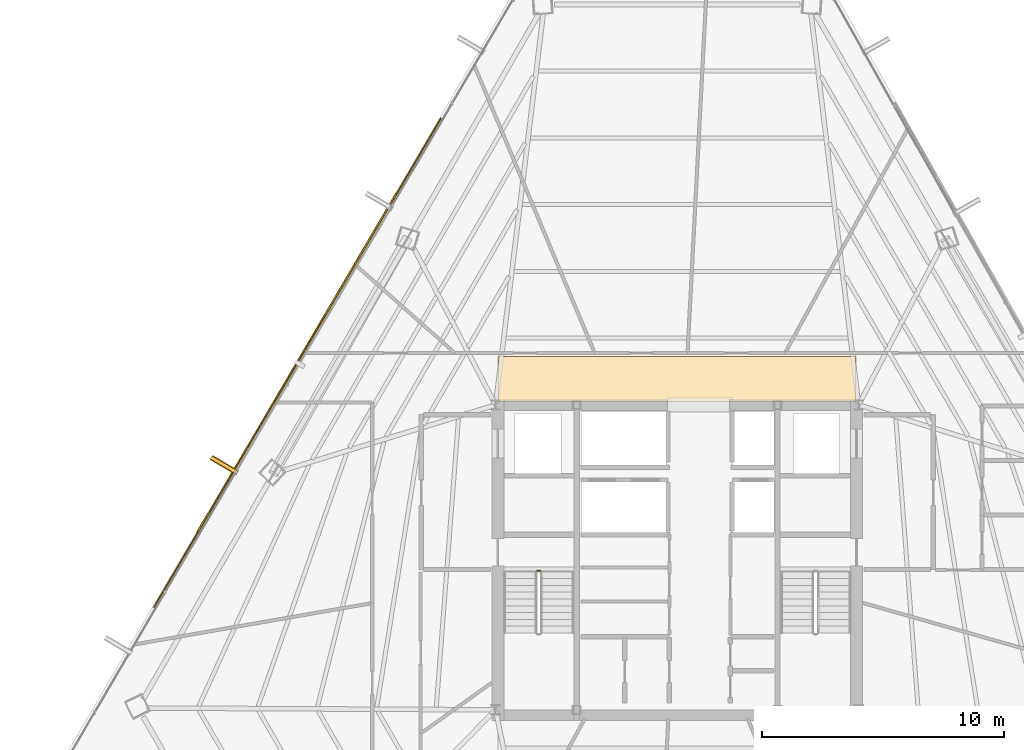
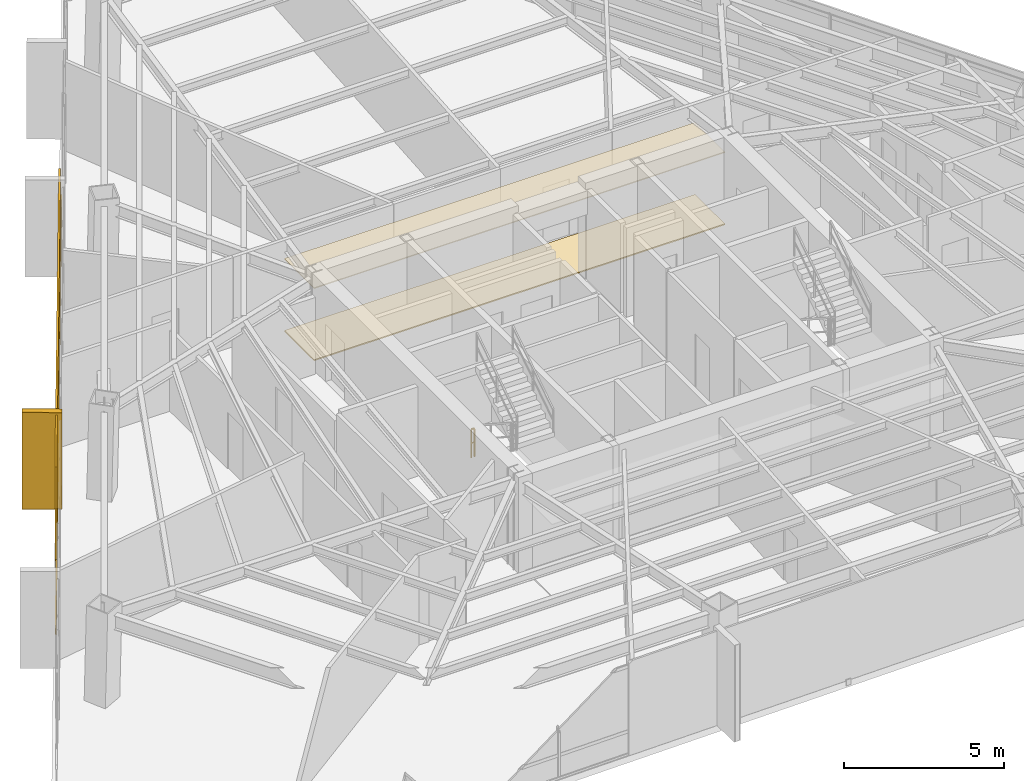
# One storey, part 40 of 42: 4 coverings, 2 shading devices, 1 railing.
"""IFC4 building model written with IfcOpenShell, lengths in metres."""

from ifc_helpers import new_model, si_unit, direction, frame, origin, origin_2d, place, context, subcontext, project, spatial, polyline, rectangle, outline, extrude, source, transform, mapped, material, layer, layer_set, type_object, type_shapes, element, save


model = new_model("IFC4")

# Units and contexts
model_context = context("Model", 3, precision=1e-05, world=origin(), true_north=direction((0.0, 1.0)))
body_context = subcontext(model_context, "Body", "Model", "MODEL_VIEW")
ifc_project = project(units=[si_unit("LENGTHUNIT", "METRE"), si_unit("AREAUNIT", "SQUARE_METRE"), si_unit("VOLUMEUNIT", "CUBIC_METRE"), si_unit("PLANEANGLEUNIT", "RADIAN"), si_unit("MASSUNIT", "GRAM", prefix="KILO")], contexts=[model_context])

# Site, building, storey
site_placement = place(None, origin())
site = spatial("IfcSite", under=ifc_project, at=site_placement, CompositionType="ELEMENT")
building_placement = place(site_placement, origin())
building = spatial("IfcBuilding", under=site, at=building_placement, Name="Caelisora Broadcast Tower", CompositionType="ELEMENT")
storey_placement = place(building_placement, frame((0.0, 0.0, 184.050048828125)))
storey = spatial("IfcBuildingStorey", under=building, at=storey_placement, Name="L48", CompositionType="ELEMENT", Elevation=184.050048828125)

# Coverings
ifc_material_1 = material(Name="Perforated Mineral-Fibre Acoustic Ceiling Tile", Category="gypsum")
ifc_layer_1 = layer(ifc_material_1, 0.034912109375, Name="Perforated Mineral-Fibre Acoustic Ceiling Tile")
ifc_layer_set_1 = layer_set([ifc_layer_1], Name="Perforated Mineral-Fibre Acoustic Ceiling Tile")
covering_type_1 = type_object("IfcCoveringType", Name="CE-1", PredefinedType="CEILING", material=ifc_layer_set_1)
covering_1_placement = place(storey_placement, frame((0.0, 0.0, 2.75)))
element("IfcCovering", 1, at=covering_1_placement, inside=storey, type_object=covering_type_1, Name="L48 acoustic corridor ceiling CE-1 (N)", PredefinedType="CEILING", context=body_context, shape_type="SweptSolid", body=[
    extrude(outline(polyline([(30.60009765625, 30.14990234375), (45.39990234375, 30.14990234375), (45.39990234375, 32.0), (30.60009765625, 32.0), (30.60009765625, 30.14990234375)])), origin(), (0.0, 0.0, 1.0), 0.034912109375),
])
ifc_material_2 = material(Name="Anti-Static Broadcast Raised Access Floor Panel", Category="steel")
ifc_layer_2 = layer(ifc_material_2, 0.044921875, Name="Anti-Static Broadcast Raised Access Floor Panel")
ifc_layer_set_2 = layer_set([ifc_layer_2], Name="Anti-Static Broadcast Raised Access Floor Panel")
covering_type_2 = type_object("IfcCoveringType", Name="FL-1", PredefinedType="FLOORING", material=ifc_layer_set_2)
covering_2_placement = place(storey_placement, origin())
element("IfcCovering", 2, at=covering_2_placement, inside=storey, type_object=covering_type_2, Name="L48 broadcast raised access floor FL-1 (N)", PredefinedType="FLOORING", context=body_context, shape_type="SweptSolid", body=[
    extrude(outline(polyline([(30.60009765625, 30.14990234375), (45.39990234375, 30.14990234375), (45.39990234375, 32.0), (30.60009765625, 32.0), (30.60009765625, 30.14990234375)])), origin(), (0.0, 0.0, 1.0), 0.044921875),
])

# Railing
ifc_material_3 = material(Name="Galvanised Steel Safety Guardrail", Category="steel")
ifc_layer_3 = layer(ifc_material_3, 0.048095703125, Name="Galvanised Steel Safety Guardrail")
ifc_layer_set_3 = layer_set([ifc_layer_3], Name="Galvanised Steel Safety Guardrail")
railing_type = type_object("IfcRailingType", Name="GR-1", PredefinedType="GUARDRAIL", material=ifc_layer_set_3)
railing_placement = place(storey_placement, frame((32.219970703125, 23.14990234375, 0.0)))
element("IfcRailing", 3, at=railing_placement, inside=storey, type_object=railing_type, Name="L48 ST-1 stair guard 4", PredefinedType="GUARDRAIL", context=body_context, shape_type="SweptSolid", body=[
    extrude(rectangle(XDim=0.048095703125, YDim=0.048095703125, at=origin_2d()), frame((0.0, 0.0, 1.076171875), z_axis=(1.0, 0.0, 0.0), x_axis=(0.0, 1.0, 0.0)), (0.0, 0.0, 1.0), 0.1201171875),
    extrude(rectangle(XDim=0.03125, YDim=0.03125, at=origin_2d()), frame((0.0, 0.0, 0.550048828125), z_axis=(1.0, 0.0, 0.0), x_axis=(0.0, 1.0, 0.0)), (0.0, 0.0, 1.0), 0.1201171875),
    extrude(rectangle(XDim=0.0419921875, YDim=0.0419921875, at=origin_2d()), origin(), (0.0, 0.0, 1.0), 1.052001953125),
    extrude(rectangle(XDim=0.0419921875, YDim=0.0419921875, at=origin_2d()), frame((0.1201171875, 0.0, 0.0)), (0.0, 0.0, 1.0), 1.052001953125),
])

# Covering
ifc_material_4 = material(Name="Kiln-Fired Terracotta Spandrel Rainscreen Cladding", Category="ceramic")
ifc_layer_4 = layer(ifc_material_4, 0.044921875, Name="Kiln-Fired Terracotta Spandrel Rainscreen Cladding")
ifc_layer_set_4 = layer_set([ifc_layer_4], Name="Kiln-Fired Terracotta Spandrel Rainscreen Cladding")
covering_type_3 = type_object("IfcCoveringType", Name="CL-1", PredefinedType="CLADDING", material=ifc_layer_set_4)
shared_shape_1 = source(origin(), body_context, "Body", "SweptSolid", [
    extrude(rectangle(XDim=0.219970703125, YDim=1.25, at=origin_2d()), origin(), (0.0, 0.0, 1.0), 3.68994140625),
])
covering_3_placement = place(storey_placement, frame((19.2802734375, 27.514404296875, -0.02001953125), z_axis=(0.0, 0.0, 1.0), x_axis=(0.506334807353, 0.862336977557, 0.0)))
element("IfcCovering", 4, at=covering_3_placement, inside=storey, type_object=covering_type_3, Name="L48 vertical solar fin cladding #3-2", PredefinedType="CLADDING", context=body_context, shape_type="MappedRepresentation", body=[
    mapped(shared_shape_1, transform((0.0, 0.0, 0.0), scale=1.0)),
])

# Shading devices
ifc_material_5 = material(Name="Extruded Terracotta Flaring Colonnade Fin", Category="ceramic")
ifc_layer_5 = layer(ifc_material_5, 0.139892578125, Name="Extruded Terracotta Flaring Colonnade Fin")
ifc_layer_set_5 = layer_set([ifc_layer_5], Name="Extruded Terracotta Flaring Colonnade Fin")
shading_device_type_1 = type_object("IfcShadingDeviceType", Name="FN-1", PredefinedType="USERDEFINED", material=ifc_layer_set_5)
shared_shape_2 = source(origin(), body_context, "Body", "SweptSolid", [
    extrude(rectangle(XDim=0.139892578125, YDim=1.25, at=origin_2d()), origin(), (0.0, 0.0, 1.0), 3.669921875),
])
type_shapes(shading_device_type_1, [shared_shape_2])
shading_device_1_placement = place(storey_placement, frame((19.2802734375, 27.514404296875, -0.010009765625), z_axis=(0.0, 0.0, 1.0), x_axis=(0.506334807353, 0.862336977557, 0.0)))
element("IfcShadingDevice", 5, at=shading_device_1_placement, inside=storey, type_object=shading_device_type_1, Name="L48 vertical terracotta fin #3-2", ObjectType="FIN", PredefinedType="USERDEFINED", context=body_context, shape_type="MappedRepresentation", body=[
    mapped(shared_shape_2, transform((0.0, 0.0, 0.0), scale=1.0)),
])
ifc_material_6 = material(Name="Perforated Glazed Terracotta Baguette Solar Screen", Category="ceramic")
ifc_layer_6 = layer(ifc_material_6, 0.06494140625, Name="Perforated Glazed Terracotta Baguette Solar Screen")
ifc_layer_set_6 = layer_set([ifc_layer_6], Name="Perforated Glazed Terracotta Baguette Solar Screen")
shading_device_type_2 = type_object("IfcShadingDeviceType", Name="SS-1", PredefinedType="USERDEFINED", material=ifc_layer_set_6)
shared_shape_3 = source(origin(), body_context, "Body", "SweptSolid", [
    extrude(rectangle(XDim=16.22998046875, YDim=0.06494140625, at=origin_2d()), origin(), (0.0, 0.0, 1.0), 3.590087890625),
])
type_shapes(shading_device_type_2, [shared_shape_3])
shading_device_2_placement = place(storey_placement, frame((22.28955078125, 31.751708984375, 0.0), z_axis=(0.0, 0.0, 1.0), x_axis=(-0.506334807353, -0.862336977557, 0.0)))
element("IfcShadingDevice", 6, at=shading_device_2_placement, inside=storey, type_object=shading_device_type_2, Name="L48 perforated terracotta solar screen #1", ObjectType="SOLAR SCREEN", PredefinedType="USERDEFINED", context=body_context, shape_type="MappedRepresentation", body=[
    mapped(shared_shape_3, transform((0.0, 0.0, 0.0), scale=1.0)),
])

# Covering
shared_shape_4 = source(origin(), body_context, "Body", "SweptSolid", [
    extrude(rectangle(XDim=23.443115234375, YDim=0.044921875, at=origin_2d()), origin(), (0.0, 0.0, 1.0), 0.340087890625),
])
type_shapes(covering_type_3, [shared_shape_1, shared_shape_4])
covering_4_placement = place(storey_placement, frame((22.306640625, 31.74169921875, -0.27001953125), z_axis=(0.0, 0.0, 1.0), x_axis=(-0.506334807353, -0.862336977557, 0.0)))
element("IfcCovering", 7, at=covering_4_placement, inside=storey, type_object=covering_type_3, Name="L48 terracotta spandrel rainscreen #1", PredefinedType="CLADDING", context=body_context, shape_type="MappedRepresentation", body=[
    mapped(shared_shape_4, transform((0.0, 0.0, 0.0), scale=1.0)),
])

save(model, "model.ifc")
